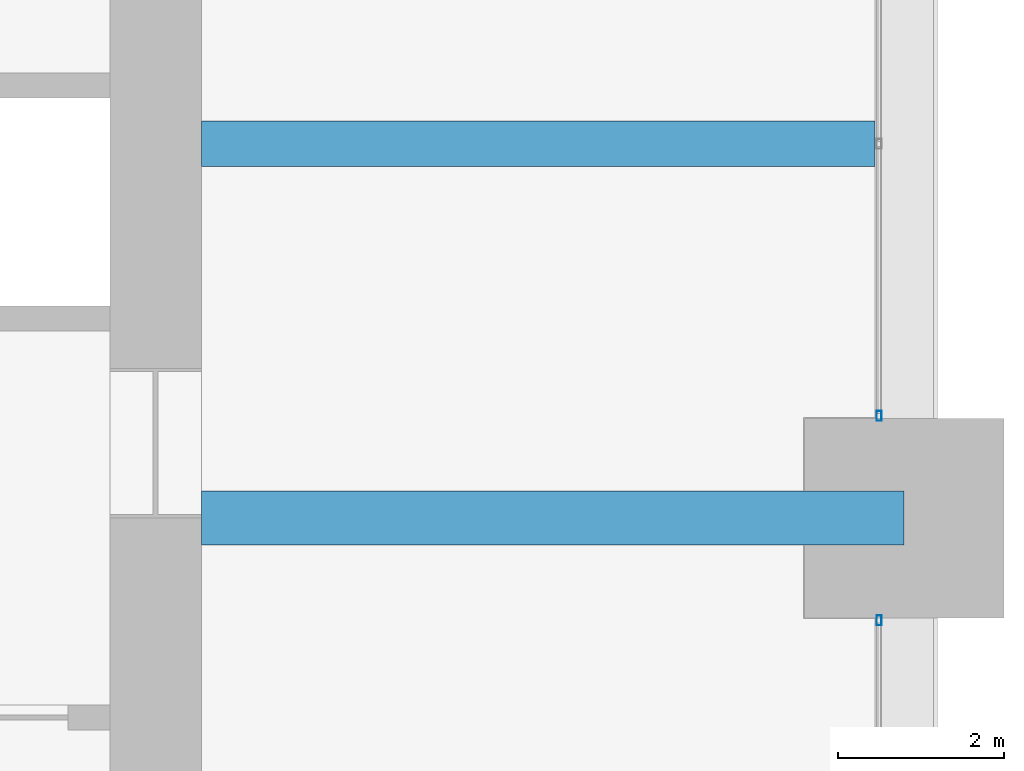
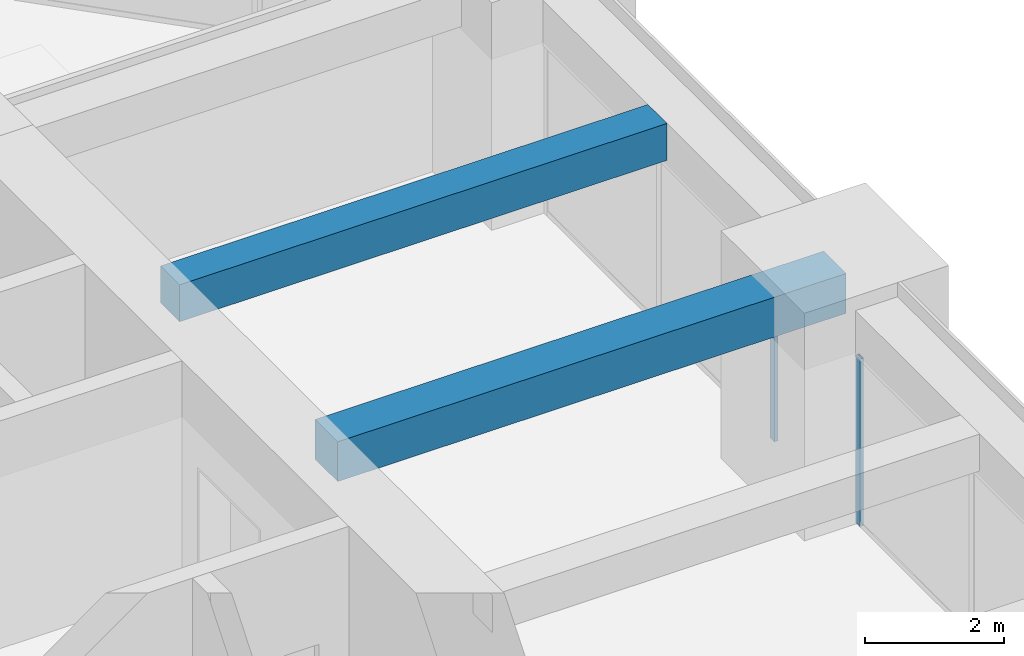
# One storey, part 26 of 45: 2 beams, 2 members, 2 elements without a shape of their own.
"""IFC4 building model written with IfcOpenShell, lengths in metres."""

import ifcopenshell
import ifcopenshell.guid

model = None  # the IFC model being written
_history = None  # IfcOwnerHistory: only IFC2X3 demands one
_inside = {}  # id of a spatial element -> (the spatial element, [elements in it])
_under = {}  # id of a project, library or spatial element -> (it, [spatial elements below it])
_declared = {}  # id of a project -> (the project, [libraries it declares])
_typed = {}  # id of a type object -> (the type object, [elements of that type])
_made_of = {}  # id of a material, layer set ... -> (it, [elements and type objects made of it])


def new_model(schema):
    """Start an empty IFC model of exactly this schema.

    Asked for "IFC4X3", IfcOpenShell would pick the latest addendum, in which some entities
    have other attributes; the version numbers below select the first issue.
    IFC2X3 requires an IfcOwnerHistory on every rooted entity: one is made here for all.
    """
    global model, _history
    if schema == "IFC4X3":
        model = ifcopenshell.file(schema_version=(4, 3, 0, 0))
    else:
        model = ifcopenshell.file(schema=schema)
    _inside.clear()
    _under.clear()
    _declared.clear()
    _typed.clear()
    _made_of.clear()
    _history = None
    if model.schema == "IFC2X3":
        org = make("IfcOrganization", Name="unknown")
        user = make(
            "IfcPersonAndOrganization",
            ThePerson=make("IfcPerson", FamilyName="unknown"),
            TheOrganization=org,
        )
        app = make(
            "IfcApplication",
            ApplicationDeveloper=org,
            Version="unknown",
            ApplicationFullName="unknown",
            ApplicationIdentifier="unknown",
        )
        _history = make(
            "IfcOwnerHistory",
            OwningUser=user,
            OwningApplication=app,
            ChangeAction="ADDED",
            CreationDate=0,
        )
    return model


def make(cls, **values):
    """One entity of the class cls with the attributes given. An attribute that is None is left unset."""
    return model.create_entity(
        cls, **{name: value for name, value in values.items() if value is not None}
    )


def rooted(cls, **values):
    """An entity with a GlobalId (a new one), such as an element, a storey or a relation."""
    return make(cls, GlobalId=ifcopenshell.guid.new(), OwnerHistory=_history, **values)


def si_unit(unit_type, name, prefix=None):
    """IfcSIUnit, for example si_unit("LENGTHUNIT", "METRE", prefix="MILLI")."""
    return make("IfcSIUnit", UnitType=unit_type, Prefix=prefix, Name=name)


def assignment(units):
    """IfcUnitAssignment: the units of a project."""
    return None if units is None else make("IfcUnitAssignment", Units=units)


def point(xyz):
    """IfcCartesianPoint."""
    return None if xyz is None else make("IfcCartesianPoint", Coordinates=xyz)


def direction(xyz):
    """IfcDirection."""
    return None if xyz is None else make("IfcDirection", DirectionRatios=xyz)


def frame(location, z_axis=None, x_axis=None):
    """IfcAxis2Placement3D, a coordinate frame: its origin and axes. An axis left out is left unset."""
    return make(
        "IfcAxis2Placement3D",
        Location=point(location),
        Axis=direction(z_axis),
        RefDirection=direction(x_axis),
    )


def frame_2d(location, x_axis=None):
    """IfcAxis2Placement2D, a coordinate frame in the plane: its origin and x axis."""
    return make(
        "IfcAxis2Placement2D", Location=point(location), RefDirection=direction(x_axis)
    )


def origin():
    """The frame at (0, 0, 0) with its axes left unset."""
    return frame((0.0, 0.0, 0.0))


def origin_2d():
    """The frame at (0, 0) in the plane with its x axis left unset."""
    return frame_2d((0.0, 0.0))


def place(relative_to, where):
    """IfcLocalPlacement: puts the frame where relative to a parent placement (None: the world)."""
    return make(
        "IfcLocalPlacement", PlacementRelTo=relative_to, RelativePlacement=where
    )


def context(
    kind, dimensions, precision=None, world=None, true_north=None, identifier=None
):
    """IfcGeometricRepresentationContext, for example the 3D "Model" context."""
    return make(
        "IfcGeometricRepresentationContext",
        ContextIdentifier=identifier,
        ContextType=kind,
        CoordinateSpaceDimension=dimensions,
        Precision=precision,
        WorldCoordinateSystem=world,
        TrueNorth=true_north,
    )


def subcontext(parent, identifier, kind, view, scale=None):
    """IfcGeometricRepresentationSubContext, for example "Body" below "Model"."""
    return make(
        "IfcGeometricRepresentationSubContext",
        ContextIdentifier=identifier,
        ContextType=kind,
        ParentContext=parent,
        TargetScale=scale,
        TargetView=view,
    )


def project(units=None, contexts=None):
    """IfcProject with its units and contexts."""
    return rooted(
        "IfcProject",
        Name="project",
        RepresentationContexts=contexts,
        UnitsInContext=assignment(units),
    )


def spatial(cls, under=None, at=None, **own):
    """A site, building, storey or space (cls), placed at a placement, below another one or the project."""
    s = rooted(cls, ObjectPlacement=at, **own)
    if under is not None:
        _under.setdefault(under.id(), (under, []))[1].append(s)
    return s


def profile(cls, at=None, kind="AREA", **sizes):
    """A parametric profile (cls). Its sizes go by their IFC names, for example OverallWidth=200.0."""
    return make(cls, ProfileType=kind, Position=at, **sizes)


def rectangle(**sizes):
    """IfcRectangleProfileDef."""
    return profile("IfcRectangleProfileDef", **sizes)


def hollow_rectangle(**sizes):
    """IfcRectangleHollowProfileDef."""
    return profile("IfcRectangleHollowProfileDef", **sizes)


def extrude(swept, where, along, depth):
    """IfcExtrudedAreaSolid: the profile swept, set in the frame where, extruded along a direction by depth."""
    return make(
        "IfcExtrudedAreaSolid",
        SweptArea=swept,
        Position=where,
        ExtrudedDirection=direction(along),
        Depth=depth,
    )


def shape(context_of_items, identifier, shape_type, items):
    """IfcShapeRepresentation: the items that make up one representation, for example the "Body"."""
    return make(
        "IfcShapeRepresentation",
        ContextOfItems=context_of_items,
        RepresentationIdentifier=identifier,
        RepresentationType=shape_type,
        Items=items,
    )


def material(Name=None, Category=None):
    """IfcMaterial."""
    return make("IfcMaterial", Name=Name, Category=Category)


def material_profile(
    of_material, cross_section, Name=None, Category=None, Priority=None
):
    """IfcMaterialProfile: a cross section and its material."""
    return make(
        "IfcMaterialProfile",
        Name=Name,
        Material=of_material,
        Profile=cross_section,
        Priority=Priority,
        Category=Category,
    )


def profile_set(profiles, Name=None, composite=None):
    """IfcMaterialProfileSet."""
    return make(
        "IfcMaterialProfileSet",
        Name=Name,
        MaterialProfiles=profiles,
        CompositeProfile=composite,
    )


def made_of(thing, what):
    """Note that an element or type object is made of a material, layer set ...; save() writes the relation."""
    if what is not None:
        _made_of.setdefault(what.id(), (what, []))[1].append(thing)
    return thing


def type_object(cls, material=None, **own):
    """A type object (cls), such as IfcWallType, which elements share."""
    return made_of(rooted(cls, **own), material)


def element(
    cls,
    number,
    at=None,
    inside=None,
    cuts=None,
    type_object=None,
    material=None,
    context=None,
    identifier="Body",
    shape_type=None,
    held_by="IfcProductDefinitionShape",
    body=None,
    shapes=None,
    **own,
):
    """One element of the class cls, such as IfcWall. Its Tag is "e" and its number.

    at: its placement. inside: the storey or other place that contains it. cuts: it is an
    opening in that element (IfcRelVoidsElement). A single representation is given by context,
    identifier, shape_type and body (its items); several are given by shapes. held_by: the class
    of the entity that holds the representations. save() writes the other relations.
    """
    e = rooted(cls, Tag="e%d" % number, ObjectPlacement=at, **own)
    if body is not None:
        shapes = [shape(context, identifier, shape_type, body)]
    if shapes is not None:
        e.Representation = make(held_by, Representations=shapes)
    if inside is not None:
        _inside.setdefault(inside.id(), (inside, []))[1].append(e)
    if cuts is not None:
        rooted(
            "IfcRelVoidsElement", RelatingBuildingElement=cuts, RelatedOpeningElement=e
        )
    if type_object is not None:
        _typed.setdefault(type_object.id(), (type_object, []))[1].append(e)
    return made_of(e, material)


def aggregate(whole, parts):
    """IfcRelAggregates: a whole, such as a stair, and the parts it consists of."""
    return rooted("IfcRelAggregates", RelatingObject=whole, RelatedObjects=parts)


def save(model, path):
    """Write the relations noted so far, then the file.

    IfcRelAggregates (storeys below a building ...), IfcRelContainedInSpatialStructure (elements
    in a storey), IfcRelDefinesByType, IfcRelAssociatesMaterial and IfcRelDeclares: one each for
    every whole, place, type object, material and project.
    """
    for whole, parts in _under.values():
        aggregate(whole, parts)
    for where, things in _inside.values():
        rooted(
            "IfcRelContainedInSpatialStructure",
            RelatedElements=things,
            RelatingStructure=where,
        )
    for kind, things in _typed.values():
        rooted("IfcRelDefinesByType", RelatedObjects=things, RelatingType=kind)
    for what, things in _made_of.values():
        rooted("IfcRelAssociatesMaterial", RelatedObjects=things, RelatingMaterial=what)
    for by, libraries in _declared.values():
        rooted("IfcRelDeclares", RelatingContext=by, RelatedDefinitions=libraries)
    model.write(path)


model = new_model("IFC4")

# Units and contexts
model_context = context("Model", 3, precision=1e-05, world=origin(), true_north=direction((0.0, 1.0)))
body_context = subcontext(model_context, "Body", "Model", "MODEL_VIEW")
ifc_project = project(units=[si_unit("LENGTHUNIT", "METRE"), si_unit("AREAUNIT", "SQUARE_METRE"), si_unit("VOLUMEUNIT", "CUBIC_METRE"), si_unit("PLANEANGLEUNIT", "RADIAN"), si_unit("MASSUNIT", "GRAM", prefix="KILO")], contexts=[model_context])

# Site, building, storey
site_placement = place(None, origin())
site = spatial("IfcSite", under=ifc_project, at=site_placement, CompositionType="ELEMENT")
building_placement = place(site_placement, origin())
building = spatial("IfcBuilding", under=site, at=building_placement, Name="Zorevar Civic Tower", CompositionType="ELEMENT")
storey_placement = place(building_placement, frame((0.0, 0.0, 247.39990234375)))
storey = spatial("IfcBuildingStorey", under=building, at=storey_placement, Name="L60", CompositionType="ELEMENT", Elevation=247.39990234375)

# Beams
ifc_material_1 = material(Name="Concrete C50/60", Category="concrete")
ifc_material_profile_1 = material_profile(ifc_material_1, rectangle(XDim=0.550048828125, YDim=0.64990234375, at=origin_2d()), Name="RC 550x650")
ifc_profile_set_1 = profile_set([ifc_material_profile_1], Name="Concrete C50/60")
beam_type_1 = type_object("IfcBeamType", Name="Beam RC 550x650", PredefinedType="BEAM", material=ifc_profile_set_1)
beam_1_placement = place(storey_placement, frame((45.550048828125, 31.5, 3.425048828125), z_axis=(1.0, 0.0, 0.0), x_axis=(0.0, 1.0, 0.0)))
element("IfcBeam", 1, at=beam_1_placement, inside=storey, type_object=beam_type_1, Name="Secondary beam L61", PredefinedType="BEAM", context=body_context, shape_type="SweptSolid", body=[
    extrude(rectangle(XDim=0.550048828125, YDim=0.64990234375, at=origin_2d()), origin(), (0.0, 0.0, 1.0), 8.099853515625),
])
ifc_material_2 = material(Name="Concrete C50/60", Category="concrete")
ifc_material_profile_2 = material_profile(ifc_material_2, rectangle(XDim=0.64990234375, YDim=0.699951171875, at=origin_2d()), Name="RC 650x700")
ifc_profile_set_2 = profile_set([ifc_material_profile_2], Name="Concrete C50/60")
beam_type_2 = type_object("IfcBeamType", Name="Beam RC 650x700", PredefinedType="BEAM", material=ifc_profile_set_2)
beam_2_placement = place(storey_placement, frame((45.550048828125, 27.0, 3.400146484375), z_axis=(1.0, 0.0, 0.0), x_axis=(0.0, 1.0, 0.0)))
element("IfcBeam", 2, at=beam_2_placement, inside=storey, type_object=beam_type_2, Name="Girder L61", PredefinedType="BEAM", context=body_context, shape_type="SweptSolid", body=[
    extrude(rectangle(XDim=0.64990234375, YDim=0.699951171875, at=origin_2d()), origin(), (0.0, 0.0, 1.0), 8.449951171875),
])

# Curtain wall, member
ifc_material_3 = material(Name="Dark grey solar-control glass in black aluminium frame", Category="aluminium")
curtain_wall_type = type_object("IfcCurtainWallType", Name="Curtain wall CW5 top zone", PredefinedType="NOTDEFINED", material=ifc_material_3)
curtain_wall_1_placement = place(storey_placement, origin())
curtain_wall_1 = element("IfcCurtainWall", 3, at=curtain_wall_1_placement, inside=storey, type_object=curtain_wall_type, Name="CW5 L60", PredefinedType="NOTDEFINED")
ifc_material_4 = material(Name="Aluminium, black anodised", Category="aluminium")
ifc_material_profile_3 = material_profile(ifc_material_4, hollow_rectangle(XDim=0.06005859375, YDim=0.1201171875, WallThickness=0.0029296875, at=origin_2d()), Name="AL 120x60x3")
ifc_profile_set_3 = profile_set([ifc_material_profile_3], Name="Aluminium, black anodised")
member_type = type_object("IfcMemberType", Name="CW5 mullion AL 120x60x3", PredefinedType="MULLION", material=ifc_profile_set_3)
member_1_placement = place(storey_placement, frame((53.699951171875, 25.77001953125, 0.0), z_axis=(0.0, 0.0, 1.0), x_axis=(-1.0, 0.0, 0.0)))
member_1 = element("IfcMember", 4, at=member_1_placement, type_object=member_type, Name="CW5 mullion 3", PredefinedType="MULLION", context=body_context, shape_type="SweptSolid", body=[
    extrude(hollow_rectangle(XDim=0.06005859375, YDim=0.1201171875, WallThickness=0.0029296875, at=origin_2d()), origin(), (0.0, 0.0, 1.0), 2.9501953125),
])
aggregate(curtain_wall_1, [member_1])

curtain_wall_2_placement = place(storey_placement, origin())
curtain_wall_2 = element("IfcCurtainWall", 5, at=curtain_wall_2_placement, inside=storey, type_object=curtain_wall_type, Name="CW5 L60", PredefinedType="NOTDEFINED")
member_2_placement = place(storey_placement, frame((53.699951171875, 28.22998046875, 0.0), z_axis=(0.0, 0.0, 1.0), x_axis=(-1.0, 0.0, 0.0)))
member_2 = element("IfcMember", 6, at=member_2_placement, type_object=member_type, Name="CW5 mullion 1", PredefinedType="MULLION", context=body_context, shape_type="SweptSolid", body=[
    extrude(hollow_rectangle(XDim=0.06005859375, YDim=0.1201171875, WallThickness=0.0029296875, at=origin_2d()), origin(), (0.0, 0.0, 1.0), 2.9501953125),
])
aggregate(curtain_wall_2, [member_2])

save(model, "model.ifc")
